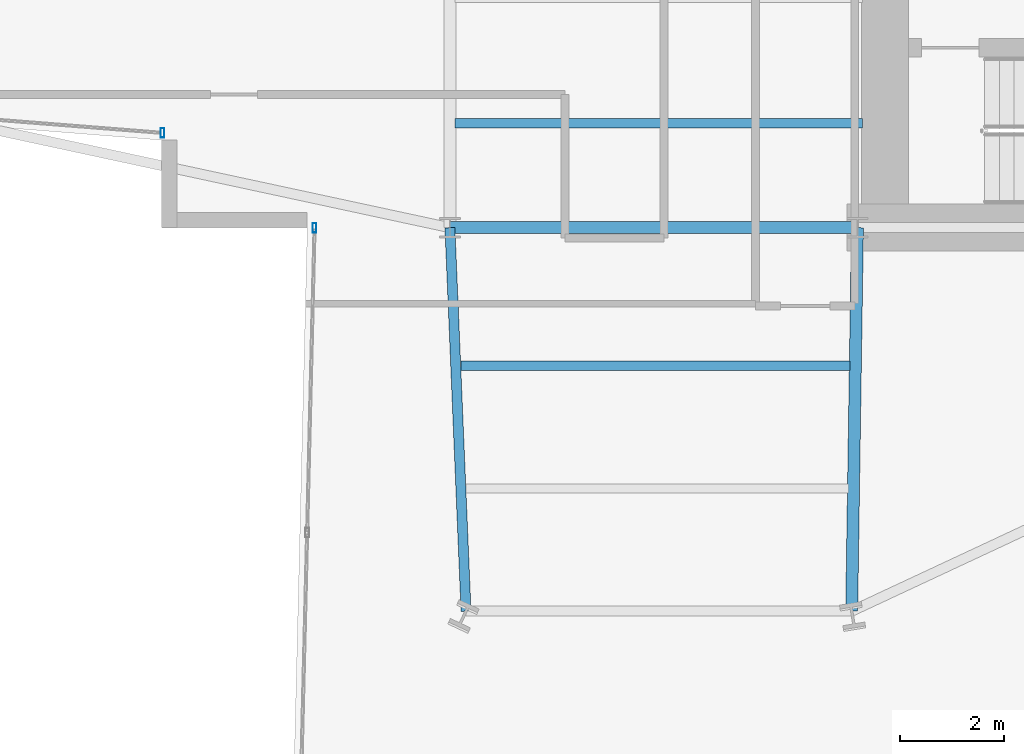
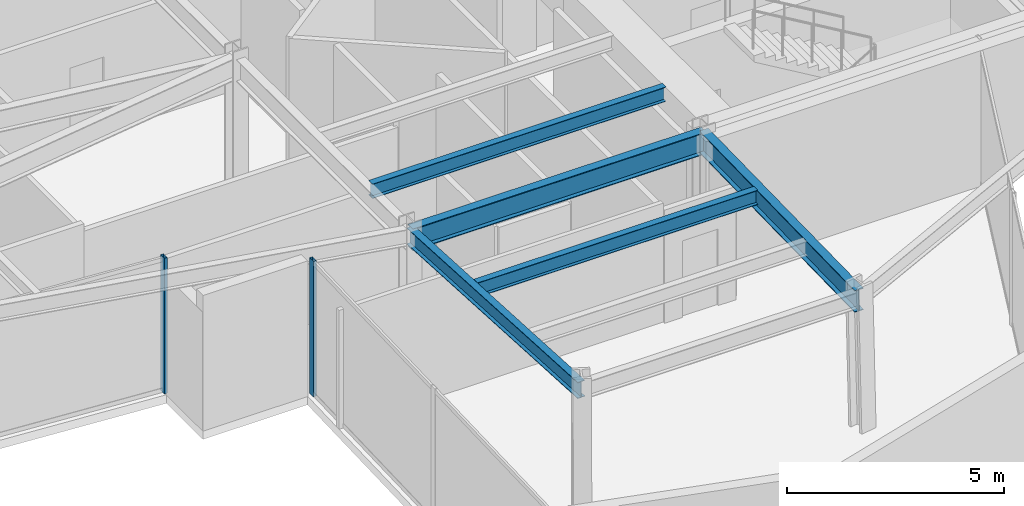
# One storey, part 5 of 25: 5 beams, 2 members, 2 elements without a shape of their own.
"""IFC4 building model written with IfcOpenShell, lengths in metres."""

import ifcopenshell
import ifcopenshell.guid

model = None  # the IFC model being written
_history = None  # IfcOwnerHistory: only IFC2X3 demands one
_inside = {}  # id of a spatial element -> (the spatial element, [elements in it])
_under = {}  # id of a project, library or spatial element -> (it, [spatial elements below it])
_declared = {}  # id of a project -> (the project, [libraries it declares])
_typed = {}  # id of a type object -> (the type object, [elements of that type])
_made_of = {}  # id of a material, layer set ... -> (it, [elements and type objects made of it])


def new_model(schema):
    """Start an empty IFC model of exactly this schema.

    Asked for "IFC4X3", IfcOpenShell would pick the latest addendum, in which some entities
    have other attributes; the version numbers below select the first issue.
    IFC2X3 requires an IfcOwnerHistory on every rooted entity: one is made here for all.
    """
    global model, _history
    if schema == "IFC4X3":
        model = ifcopenshell.file(schema_version=(4, 3, 0, 0))
    else:
        model = ifcopenshell.file(schema=schema)
    _inside.clear()
    _under.clear()
    _declared.clear()
    _typed.clear()
    _made_of.clear()
    _history = None
    if model.schema == "IFC2X3":
        org = make("IfcOrganization", Name="unknown")
        user = make(
            "IfcPersonAndOrganization",
            ThePerson=make("IfcPerson", FamilyName="unknown"),
            TheOrganization=org,
        )
        app = make(
            "IfcApplication",
            ApplicationDeveloper=org,
            Version="unknown",
            ApplicationFullName="unknown",
            ApplicationIdentifier="unknown",
        )
        _history = make(
            "IfcOwnerHistory",
            OwningUser=user,
            OwningApplication=app,
            ChangeAction="ADDED",
            CreationDate=0,
        )
    return model


def make(cls, **values):
    """One entity of the class cls with the attributes given. An attribute that is None is left unset."""
    return model.create_entity(
        cls, **{name: value for name, value in values.items() if value is not None}
    )


def rooted(cls, **values):
    """An entity with a GlobalId (a new one), such as an element, a storey or a relation."""
    return make(cls, GlobalId=ifcopenshell.guid.new(), OwnerHistory=_history, **values)


def si_unit(unit_type, name, prefix=None):
    """IfcSIUnit, for example si_unit("LENGTHUNIT", "METRE", prefix="MILLI")."""
    return make("IfcSIUnit", UnitType=unit_type, Prefix=prefix, Name=name)


def assignment(units):
    """IfcUnitAssignment: the units of a project."""
    return None if units is None else make("IfcUnitAssignment", Units=units)


def point(xyz):
    """IfcCartesianPoint."""
    return None if xyz is None else make("IfcCartesianPoint", Coordinates=xyz)


def direction(xyz):
    """IfcDirection."""
    return None if xyz is None else make("IfcDirection", DirectionRatios=xyz)


def frame(location, z_axis=None, x_axis=None):
    """IfcAxis2Placement3D, a coordinate frame: its origin and axes. An axis left out is left unset."""
    return make(
        "IfcAxis2Placement3D",
        Location=point(location),
        Axis=direction(z_axis),
        RefDirection=direction(x_axis),
    )


def frame_2d(location, x_axis=None):
    """IfcAxis2Placement2D, a coordinate frame in the plane: its origin and x axis."""
    return make(
        "IfcAxis2Placement2D", Location=point(location), RefDirection=direction(x_axis)
    )


def origin():
    """The frame at (0, 0, 0) with its axes left unset."""
    return frame((0.0, 0.0, 0.0))


def origin_2d():
    """The frame at (0, 0) in the plane with its x axis left unset."""
    return frame_2d((0.0, 0.0))


def place(relative_to, where):
    """IfcLocalPlacement: puts the frame where relative to a parent placement (None: the world)."""
    return make(
        "IfcLocalPlacement", PlacementRelTo=relative_to, RelativePlacement=where
    )


def context(
    kind, dimensions, precision=None, world=None, true_north=None, identifier=None
):
    """IfcGeometricRepresentationContext, for example the 3D "Model" context."""
    return make(
        "IfcGeometricRepresentationContext",
        ContextIdentifier=identifier,
        ContextType=kind,
        CoordinateSpaceDimension=dimensions,
        Precision=precision,
        WorldCoordinateSystem=world,
        TrueNorth=true_north,
    )


def subcontext(parent, identifier, kind, view, scale=None):
    """IfcGeometricRepresentationSubContext, for example "Body" below "Model"."""
    return make(
        "IfcGeometricRepresentationSubContext",
        ContextIdentifier=identifier,
        ContextType=kind,
        ParentContext=parent,
        TargetScale=scale,
        TargetView=view,
    )


def project(units=None, contexts=None):
    """IfcProject with its units and contexts."""
    return rooted(
        "IfcProject",
        Name="project",
        RepresentationContexts=contexts,
        UnitsInContext=assignment(units),
    )


def spatial(cls, under=None, at=None, **own):
    """A site, building, storey or space (cls), placed at a placement, below another one or the project."""
    s = rooted(cls, ObjectPlacement=at, **own)
    if under is not None:
        _under.setdefault(under.id(), (under, []))[1].append(s)
    return s


def profile(cls, at=None, kind="AREA", **sizes):
    """A parametric profile (cls). Its sizes go by their IFC names, for example OverallWidth=200.0."""
    return make(cls, ProfileType=kind, Position=at, **sizes)


def hollow_rectangle(**sizes):
    """IfcRectangleHollowProfileDef."""
    return profile("IfcRectangleHollowProfileDef", **sizes)


def i_section(**sizes):
    """IfcIShapeProfileDef."""
    return profile("IfcIShapeProfileDef", **sizes)


def extrude(swept, where, along, depth):
    """IfcExtrudedAreaSolid: the profile swept, set in the frame where, extruded along a direction by depth."""
    return make(
        "IfcExtrudedAreaSolid",
        SweptArea=swept,
        Position=where,
        ExtrudedDirection=direction(along),
        Depth=depth,
    )


def shape(context_of_items, identifier, shape_type, items):
    """IfcShapeRepresentation: the items that make up one representation, for example the "Body"."""
    return make(
        "IfcShapeRepresentation",
        ContextOfItems=context_of_items,
        RepresentationIdentifier=identifier,
        RepresentationType=shape_type,
        Items=items,
    )


def material(Name=None, Category=None):
    """IfcMaterial."""
    return make("IfcMaterial", Name=Name, Category=Category)


def layer(
    of_material, thickness, ventilated=None, Name=None, Category=None, Priority=None
):
    """IfcMaterialLayer: one layer of a wall or slab, of a material (None: an air gap)."""
    return make(
        "IfcMaterialLayer",
        Material=of_material,
        LayerThickness=thickness,
        IsVentilated=ventilated,
        Name=Name,
        Category=Category,
        Priority=Priority,
    )


def layer_set(layers, Name=None):
    """IfcMaterialLayerSet."""
    return make("IfcMaterialLayerSet", MaterialLayers=layers, LayerSetName=Name)


def material_profile(
    of_material, cross_section, Name=None, Category=None, Priority=None
):
    """IfcMaterialProfile: a cross section and its material."""
    return make(
        "IfcMaterialProfile",
        Name=Name,
        Material=of_material,
        Profile=cross_section,
        Priority=Priority,
        Category=Category,
    )


def profile_set(profiles, Name=None, composite=None):
    """IfcMaterialProfileSet."""
    return make(
        "IfcMaterialProfileSet",
        Name=Name,
        MaterialProfiles=profiles,
        CompositeProfile=composite,
    )


def made_of(thing, what):
    """Note that an element or type object is made of a material, layer set ...; save() writes the relation."""
    if what is not None:
        _made_of.setdefault(what.id(), (what, []))[1].append(thing)
    return thing


def type_object(cls, material=None, **own):
    """A type object (cls), such as IfcWallType, which elements share."""
    return made_of(rooted(cls, **own), material)


def element(
    cls,
    number,
    at=None,
    inside=None,
    cuts=None,
    type_object=None,
    material=None,
    context=None,
    identifier="Body",
    shape_type=None,
    held_by="IfcProductDefinitionShape",
    body=None,
    shapes=None,
    **own,
):
    """One element of the class cls, such as IfcWall. Its Tag is "e" and its number.

    at: its placement. inside: the storey or other place that contains it. cuts: it is an
    opening in that element (IfcRelVoidsElement). A single representation is given by context,
    identifier, shape_type and body (its items); several are given by shapes. held_by: the class
    of the entity that holds the representations. save() writes the other relations.
    """
    e = rooted(cls, Tag="e%d" % number, ObjectPlacement=at, **own)
    if body is not None:
        shapes = [shape(context, identifier, shape_type, body)]
    if shapes is not None:
        e.Representation = make(held_by, Representations=shapes)
    if inside is not None:
        _inside.setdefault(inside.id(), (inside, []))[1].append(e)
    if cuts is not None:
        rooted(
            "IfcRelVoidsElement", RelatingBuildingElement=cuts, RelatedOpeningElement=e
        )
    if type_object is not None:
        _typed.setdefault(type_object.id(), (type_object, []))[1].append(e)
    return made_of(e, material)


def aggregate(whole, parts):
    """IfcRelAggregates: a whole, such as a stair, and the parts it consists of."""
    return rooted("IfcRelAggregates", RelatingObject=whole, RelatedObjects=parts)


def save(model, path):
    """Write the relations noted so far, then the file.

    IfcRelAggregates (storeys below a building ...), IfcRelContainedInSpatialStructure (elements
    in a storey), IfcRelDefinesByType, IfcRelAssociatesMaterial and IfcRelDeclares: one each for
    every whole, place, type object, material and project.
    """
    for whole, parts in _under.values():
        aggregate(whole, parts)
    for where, things in _inside.values():
        rooted(
            "IfcRelContainedInSpatialStructure",
            RelatedElements=things,
            RelatingStructure=where,
        )
    for kind, things in _typed.values():
        rooted("IfcRelDefinesByType", RelatedObjects=things, RelatingType=kind)
    for what, things in _made_of.values():
        rooted("IfcRelAssociatesMaterial", RelatedObjects=things, RelatingMaterial=what)
    for by, libraries in _declared.values():
        rooted("IfcRelDeclares", RelatingContext=by, RelatedDefinitions=libraries)
    model.write(path)


model = new_model("IFC4")

# Units and contexts
model_context = context("Model", 3, precision=1e-05, world=origin(), true_north=direction((0.0, 1.0)))
body_context = subcontext(model_context, "Body", "Model", "MODEL_VIEW")
ifc_project = project(units=[si_unit("LENGTHUNIT", "METRE"), si_unit("AREAUNIT", "SQUARE_METRE"), si_unit("VOLUMEUNIT", "CUBIC_METRE"), si_unit("PLANEANGLEUNIT", "RADIAN"), si_unit("MASSUNIT", "GRAM", prefix="KILO")], contexts=[model_context])

# Site, building, storey
site_placement = place(None, origin())
site = spatial("IfcSite", under=ifc_project, at=site_placement, CompositionType="ELEMENT")
building_placement = place(site_placement, origin())
building = spatial("IfcBuilding", under=site, at=building_placement, Name="Veymaron Broadcast Tower", CompositionType="ELEMENT")
storey_placement = place(building_placement, frame((0.0, 0.0, 82.35009765625)))
storey = spatial("IfcBuildingStorey", under=building, at=storey_placement, Name="L18", CompositionType="ELEMENT", Elevation=82.35009765625)

# Beams
ifc_material_1 = material(Name="Structural steel ASTM A992 Gr 50", Category="steel")
ifc_material_profile_1 = material_profile(ifc_material_1, i_section(OverallWidth=0.22998046875, OverallDepth=0.616943359375, WebThickness=0.01318359375, FlangeThickness=0.022216796875, at=origin_2d()), Name="W610X140")
ifc_profile_set_1 = profile_set([ifc_material_profile_1], Name="Structural steel ASTM A992 Gr 50")
beam_type_1 = type_object("IfcBeamType", Name="BM-FG1", PredefinedType="BEAM", material=ifc_profile_set_1)
beam_1_placement = place(storey_placement, frame((31.199951171875, 16.0, 3.50146484375), z_axis=(1.0, 0.0, 0.0), x_axis=(0.0, 1.0, 0.0)))
element("IfcBeam", 1, at=beam_1_placement, inside=storey, type_object=beam_type_1, Name="L18 primary structural floor girder", PredefinedType="BEAM", context=body_context, shape_type="SweptSolid", body=[
    extrude(i_section(OverallWidth=0.22998046875, OverallDepth=0.616943359375, WebThickness=0.01318359375, FlangeThickness=0.022216796875, at=origin_2d()), origin(), (0.0, 0.0, 1.0), 7.800048828125),
])
beam_2_placement = place(storey_placement, frame((39.0, 16.0, 3.50146484375), z_axis=(-0.014999144036, -0.999887506512, 0.0), x_axis=(0.999887506512, -0.014999144036, 0.0)))
element("IfcBeam", 2, at=beam_2_placement, inside=storey, type_object=beam_type_1, Name="L18 primary structural floor girder", PredefinedType="BEAM", context=body_context, shape_type="SweptSolid", body=[
    extrude(i_section(OverallWidth=0.22998046875, OverallDepth=0.616943359375, WebThickness=0.01318359375, FlangeThickness=0.022216796875, at=origin_2d()), origin(), (0.0, 0.0, 1.0), 7.3408203125),
])
ifc_material_profile_2 = material_profile(ifc_material_1, i_section(OverallWidth=0.177978515625, OverallDepth=0.406982421875, WebThickness=0.0078125, FlangeThickness=0.0126953125, at=origin_2d()), Name="W410X60")
ifc_profile_set_2 = profile_set([ifc_material_profile_2], Name="Structural steel ASTM A992 Gr 50")
beam_type_2 = type_object("IfcBeamType", Name="BM-JS1", PredefinedType="JOIST", material=ifc_profile_set_2)
beam_3_placement = place(storey_placement, frame((31.410888671875, 13.357666015625, 3.6064453125), z_axis=(1.0, 0.0, 0.0), x_axis=(0.0, 1.0, 0.0)))
element("IfcBeam", 3, at=beam_3_placement, inside=storey, type_object=beam_type_2, Name="L18 Arm-C secondary joist 1", PredefinedType="JOIST", context=body_context, shape_type="SweptSolid", body=[
    extrude(i_section(OverallWidth=0.177978515625, OverallDepth=0.406982421875, WebThickness=0.0078125, FlangeThickness=0.0126953125, at=origin_2d()), origin(), (0.0, 0.0, 1.0), 7.449462890625),
])
beam_4_placement = place(storey_placement, frame((31.300048828125, 18.0, 3.6064453125), z_axis=(1.0, 0.0, 0.0), x_axis=(0.0, 1.0, 0.0)))
element("IfcBeam", 4, at=beam_4_placement, inside=storey, type_object=beam_type_2, Name="L18 Hub secondary joist 1", PredefinedType="JOIST", context=body_context, shape_type="SweptSolid", body=[
    extrude(i_section(OverallWidth=0.177978515625, OverallDepth=0.406982421875, WebThickness=0.0078125, FlangeThickness=0.0126953125, at=origin_2d()), origin(), (0.0, 0.0, 1.0), 7.800048828125),
])
ifc_material_profile_3 = material_profile(ifc_material_1, i_section(OverallWidth=0.19091796875, OverallDepth=0.4599609375, WebThickness=0.010009765625, FlangeThickness=0.01611328125, at=origin_2d()), Name="W460X82")
ifc_profile_set_3 = profile_set([ifc_material_profile_3], Name="Structural steel ASTM A992 Gr 50")
beam_type_3 = type_object("IfcBeamType", Name="BM-SP1", PredefinedType="SPANDREL", material=ifc_profile_set_3)
beam_5_placement = place(storey_placement, frame((31.199951171875, 16.0, 3.579833984375), z_axis=(0.041938788281, -0.999120181979, 0.0), x_axis=(0.999120181979, 0.041938788281, 0.0)))
element("IfcBeam", 5, at=beam_5_placement, inside=storey, type_object=beam_type_3, Name="L18 primary structural floor girder", PredefinedType="SPANDREL", context=body_context, shape_type="SweptSolid", body=[
    extrude(i_section(OverallWidth=0.19091796875, OverallDepth=0.4599609375, WebThickness=0.010009765625, FlangeThickness=0.01611328125, at=origin_2d()), origin(), (0.0, 0.0, 1.0), 7.346435546875),
])

# Curtain wall, member
ifc_material_2 = material(Name="Anodised aluminium AA 6063-T6 and laminated low-E dark glass", Category="aluminium")
ifc_layer = layer(ifc_material_2, 0.179931640625)
ifc_layer_set = layer_set([ifc_layer], Name="Anodised aluminium AA 6063-T6 and laminated low-E dark glass")
curtain_wall_type = type_object("IfcCurtainWallType", Name="CW-SYS-02", PredefinedType="NOTDEFINED", material=ifc_layer_set)
curtain_wall_1_placement = place(storey_placement, origin())
curtain_wall_1 = element("IfcCurtainWall", 6, at=curtain_wall_1_placement, inside=storey, type_object=curtain_wall_type, Name="L18 dark-glass curtain wall CW-L18-E14-1", PredefinedType="NOTDEFINED")
ifc_material_3 = material(Name="Anodised aluminium AA 6063-T6", Category="aluminium")
ifc_material_profile_4 = material_profile(ifc_material_3, hollow_rectangle(XDim=0.074951171875, YDim=0.179931640625, WallThickness=0.0048828125, at=origin_2d()), Name="AL180X75X5")
ifc_profile_set_4 = profile_set([ifc_material_profile_4], Name="Anodised aluminium AA 6063-T6")
member_type = type_object("IfcMemberType", Name="CW-MUL-02", PredefinedType="MULLION", material=ifc_profile_set_4)
member_1_placement = place(storey_placement, frame((25.698974609375, 17.81494140625, 0.0), z_axis=(0.0, 0.0, 1.0), x_axis=(1.0, 0.0, 0.0)))
member_1 = element("IfcMember", 7, at=member_1_placement, type_object=member_type, Name="CW-L18-E14-1 mullion 2", PredefinedType="MULLION", context=body_context, shape_type="SweptSolid", body=[
    extrude(hollow_rectangle(XDim=0.074951171875, YDim=0.179931640625, WallThickness=0.0048828125, at=origin_2d()), origin(), (0.0, 0.0, 1.0), 3.809814453125),
])
aggregate(curtain_wall_1, [member_1])

curtain_wall_2_placement = place(storey_placement, origin())
curtain_wall_2 = element("IfcCurtainWall", 8, at=curtain_wall_2_placement, inside=storey, type_object=curtain_wall_type, Name="L18 dark-glass curtain wall CW-L18-E17-1", PredefinedType="NOTDEFINED")
member_2_placement = place(storey_placement, frame((28.6083984375, 15.99658203125, 0.0), z_axis=(0.0, 0.0, 1.0), x_axis=(1.0, 0.0, 0.0)))
member_2 = element("IfcMember", 9, at=member_2_placement, type_object=member_type, Name="CW-L18-E17-1 mullion 0", PredefinedType="MULLION", context=body_context, shape_type="SweptSolid", body=[
    extrude(hollow_rectangle(XDim=0.074951171875, YDim=0.179931640625, WallThickness=0.0048828125, at=origin_2d()), origin(), (0.0, 0.0, 1.0), 3.809814453125),
])
aggregate(curtain_wall_2, [member_2])

save(model, "model.ifc")
